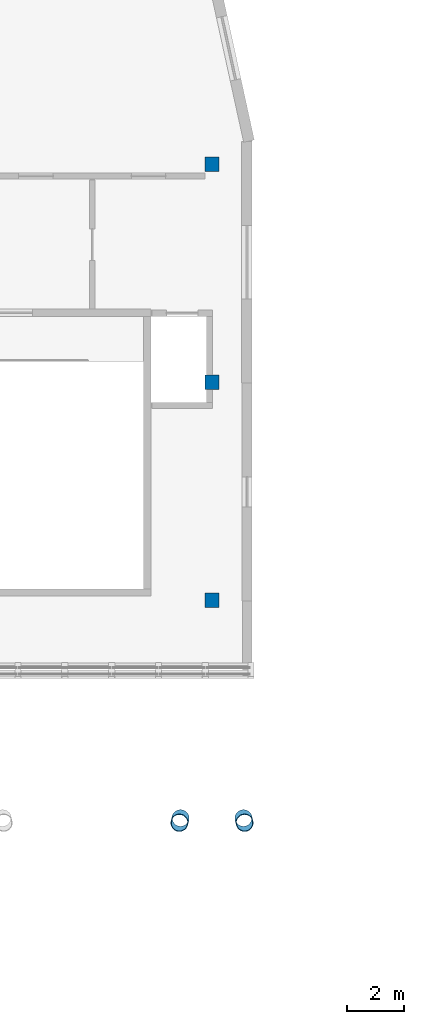
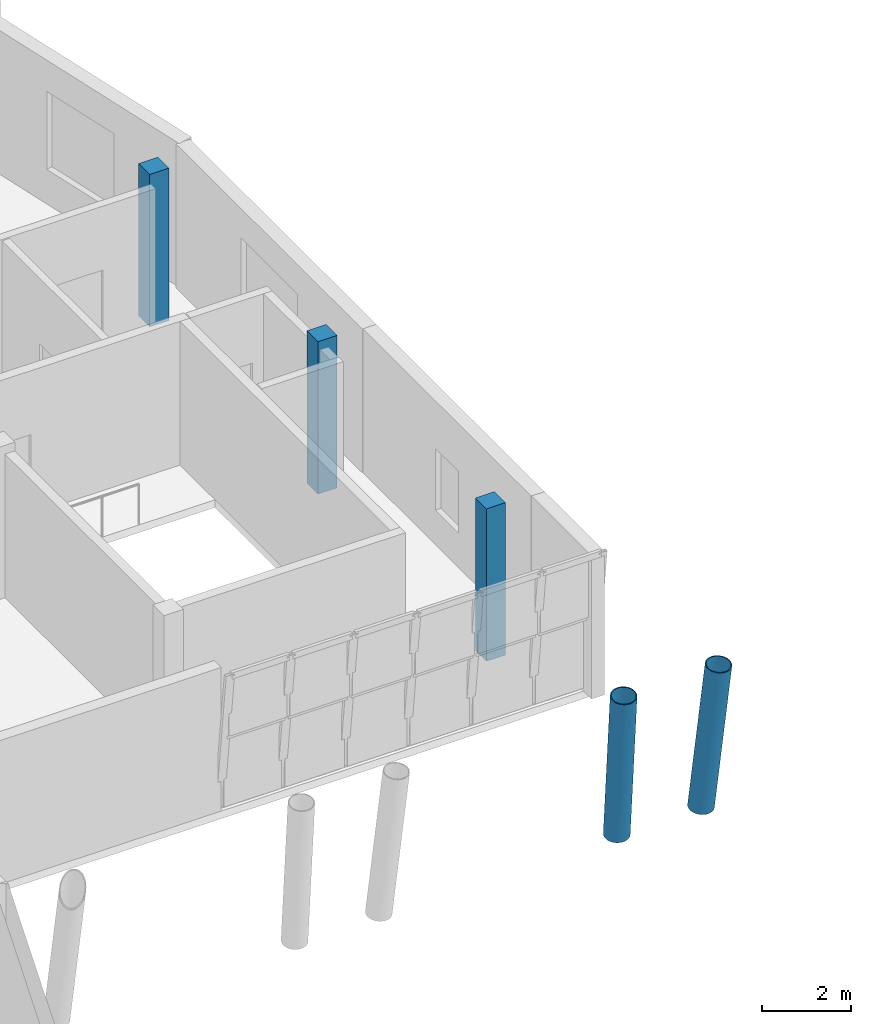
# One storey, part 3 of 17: 5 columns.
"""IFC4 building model written with IfcOpenShell, lengths in metres."""

import ifcopenshell
import ifcopenshell.guid

model = None  # the IFC model being written
_history = None  # IfcOwnerHistory: only IFC2X3 demands one
_inside = {}  # id of a spatial element -> (the spatial element, [elements in it])
_under = {}  # id of a project, library or spatial element -> (it, [spatial elements below it])
_declared = {}  # id of a project -> (the project, [libraries it declares])
_typed = {}  # id of a type object -> (the type object, [elements of that type])
_made_of = {}  # id of a material, layer set ... -> (it, [elements and type objects made of it])


def new_model(schema):
    """Start an empty IFC model of exactly this schema.

    Asked for "IFC4X3", IfcOpenShell would pick the latest addendum, in which some entities
    have other attributes; the version numbers below select the first issue.
    IFC2X3 requires an IfcOwnerHistory on every rooted entity: one is made here for all.
    """
    global model, _history
    if schema == "IFC4X3":
        model = ifcopenshell.file(schema_version=(4, 3, 0, 0))
    else:
        model = ifcopenshell.file(schema=schema)
    _inside.clear()
    _under.clear()
    _declared.clear()
    _typed.clear()
    _made_of.clear()
    _history = None
    if model.schema == "IFC2X3":
        org = make("IfcOrganization", Name="unknown")
        user = make(
            "IfcPersonAndOrganization",
            ThePerson=make("IfcPerson", FamilyName="unknown"),
            TheOrganization=org,
        )
        app = make(
            "IfcApplication",
            ApplicationDeveloper=org,
            Version="unknown",
            ApplicationFullName="unknown",
            ApplicationIdentifier="unknown",
        )
        _history = make(
            "IfcOwnerHistory",
            OwningUser=user,
            OwningApplication=app,
            ChangeAction="ADDED",
            CreationDate=0,
        )
    return model


def make(cls, **values):
    """One entity of the class cls with the attributes given. An attribute that is None is left unset."""
    return model.create_entity(
        cls, **{name: value for name, value in values.items() if value is not None}
    )


def rooted(cls, **values):
    """An entity with a GlobalId (a new one), such as an element, a storey or a relation."""
    return make(cls, GlobalId=ifcopenshell.guid.new(), OwnerHistory=_history, **values)


def si_unit(unit_type, name, prefix=None):
    """IfcSIUnit, for example si_unit("LENGTHUNIT", "METRE", prefix="MILLI")."""
    return make("IfcSIUnit", UnitType=unit_type, Prefix=prefix, Name=name)


def assignment(units):
    """IfcUnitAssignment: the units of a project."""
    return None if units is None else make("IfcUnitAssignment", Units=units)


def point(xyz):
    """IfcCartesianPoint."""
    return None if xyz is None else make("IfcCartesianPoint", Coordinates=xyz)


def direction(xyz):
    """IfcDirection."""
    return None if xyz is None else make("IfcDirection", DirectionRatios=xyz)


def frame(location, z_axis=None, x_axis=None):
    """IfcAxis2Placement3D, a coordinate frame: its origin and axes. An axis left out is left unset."""
    return make(
        "IfcAxis2Placement3D",
        Location=point(location),
        Axis=direction(z_axis),
        RefDirection=direction(x_axis),
    )


def frame_2d(location, x_axis=None):
    """IfcAxis2Placement2D, a coordinate frame in the plane: its origin and x axis."""
    return make(
        "IfcAxis2Placement2D", Location=point(location), RefDirection=direction(x_axis)
    )


def origin():
    """The frame at (0, 0, 0) with its axes left unset."""
    return frame((0.0, 0.0, 0.0))


def origin_2d():
    """The frame at (0, 0) in the plane with its x axis left unset."""
    return frame_2d((0.0, 0.0))


def place(relative_to, where):
    """IfcLocalPlacement: puts the frame where relative to a parent placement (None: the world)."""
    return make(
        "IfcLocalPlacement", PlacementRelTo=relative_to, RelativePlacement=where
    )


def context(
    kind, dimensions, precision=None, world=None, true_north=None, identifier=None
):
    """IfcGeometricRepresentationContext, for example the 3D "Model" context."""
    return make(
        "IfcGeometricRepresentationContext",
        ContextIdentifier=identifier,
        ContextType=kind,
        CoordinateSpaceDimension=dimensions,
        Precision=precision,
        WorldCoordinateSystem=world,
        TrueNorth=true_north,
    )


def subcontext(parent, identifier, kind, view, scale=None):
    """IfcGeometricRepresentationSubContext, for example "Body" below "Model"."""
    return make(
        "IfcGeometricRepresentationSubContext",
        ContextIdentifier=identifier,
        ContextType=kind,
        ParentContext=parent,
        TargetScale=scale,
        TargetView=view,
    )


def project(units=None, contexts=None):
    """IfcProject with its units and contexts."""
    return rooted(
        "IfcProject",
        Name="project",
        RepresentationContexts=contexts,
        UnitsInContext=assignment(units),
    )


def spatial(cls, under=None, at=None, **own):
    """A site, building, storey or space (cls), placed at a placement, below another one or the project."""
    s = rooted(cls, ObjectPlacement=at, **own)
    if under is not None:
        _under.setdefault(under.id(), (under, []))[1].append(s)
    return s


def profile(cls, at=None, kind="AREA", **sizes):
    """A parametric profile (cls). Its sizes go by their IFC names, for example OverallWidth=200.0."""
    return make(cls, ProfileType=kind, Position=at, **sizes)


def rectangle(**sizes):
    """IfcRectangleProfileDef."""
    return profile("IfcRectangleProfileDef", **sizes)


def hollow_circle(**sizes):
    """IfcCircleHollowProfileDef."""
    return profile("IfcCircleHollowProfileDef", **sizes)


def extrude(swept, where, along, depth):
    """IfcExtrudedAreaSolid: the profile swept, set in the frame where, extruded along a direction by depth."""
    return make(
        "IfcExtrudedAreaSolid",
        SweptArea=swept,
        Position=where,
        ExtrudedDirection=direction(along),
        Depth=depth,
    )


def shape(context_of_items, identifier, shape_type, items):
    """IfcShapeRepresentation: the items that make up one representation, for example the "Body"."""
    return make(
        "IfcShapeRepresentation",
        ContextOfItems=context_of_items,
        RepresentationIdentifier=identifier,
        RepresentationType=shape_type,
        Items=items,
    )


def material(Name=None, Category=None):
    """IfcMaterial."""
    return make("IfcMaterial", Name=Name, Category=Category)


def material_profile(
    of_material, cross_section, Name=None, Category=None, Priority=None
):
    """IfcMaterialProfile: a cross section and its material."""
    return make(
        "IfcMaterialProfile",
        Name=Name,
        Material=of_material,
        Profile=cross_section,
        Priority=Priority,
        Category=Category,
    )


def profile_set(profiles, Name=None, composite=None):
    """IfcMaterialProfileSet."""
    return make(
        "IfcMaterialProfileSet",
        Name=Name,
        MaterialProfiles=profiles,
        CompositeProfile=composite,
    )


def made_of(thing, what):
    """Note that an element or type object is made of a material, layer set ...; save() writes the relation."""
    if what is not None:
        _made_of.setdefault(what.id(), (what, []))[1].append(thing)
    return thing


def type_object(cls, material=None, **own):
    """A type object (cls), such as IfcWallType, which elements share."""
    return made_of(rooted(cls, **own), material)


def element(
    cls,
    number,
    at=None,
    inside=None,
    cuts=None,
    type_object=None,
    material=None,
    context=None,
    identifier="Body",
    shape_type=None,
    held_by="IfcProductDefinitionShape",
    body=None,
    shapes=None,
    **own,
):
    """One element of the class cls, such as IfcWall. Its Tag is "e" and its number.

    at: its placement. inside: the storey or other place that contains it. cuts: it is an
    opening in that element (IfcRelVoidsElement). A single representation is given by context,
    identifier, shape_type and body (its items); several are given by shapes. held_by: the class
    of the entity that holds the representations. save() writes the other relations.
    """
    e = rooted(cls, Tag="e%d" % number, ObjectPlacement=at, **own)
    if body is not None:
        shapes = [shape(context, identifier, shape_type, body)]
    if shapes is not None:
        e.Representation = make(held_by, Representations=shapes)
    if inside is not None:
        _inside.setdefault(inside.id(), (inside, []))[1].append(e)
    if cuts is not None:
        rooted(
            "IfcRelVoidsElement", RelatingBuildingElement=cuts, RelatedOpeningElement=e
        )
    if type_object is not None:
        _typed.setdefault(type_object.id(), (type_object, []))[1].append(e)
    return made_of(e, material)


def aggregate(whole, parts):
    """IfcRelAggregates: a whole, such as a stair, and the parts it consists of."""
    return rooted("IfcRelAggregates", RelatingObject=whole, RelatedObjects=parts)


def save(model, path):
    """Write the relations noted so far, then the file.

    IfcRelAggregates (storeys below a building ...), IfcRelContainedInSpatialStructure (elements
    in a storey), IfcRelDefinesByType, IfcRelAssociatesMaterial and IfcRelDeclares: one each for
    every whole, place, type object, material and project.
    """
    for whole, parts in _under.values():
        aggregate(whole, parts)
    for where, things in _inside.values():
        rooted(
            "IfcRelContainedInSpatialStructure",
            RelatedElements=things,
            RelatingStructure=where,
        )
    for kind, things in _typed.values():
        rooted("IfcRelDefinesByType", RelatedObjects=things, RelatingType=kind)
    for what, things in _made_of.values():
        rooted("IfcRelAssociatesMaterial", RelatedObjects=things, RelatingMaterial=what)
    for by, libraries in _declared.values():
        rooted("IfcRelDeclares", RelatingContext=by, RelatedDefinitions=libraries)
    model.write(path)


model = new_model("IFC4")

# Units and contexts
model_context = context("Model", 3, precision=1e-05, world=origin(), true_north=direction((0.0, 1.0)))
body_context = subcontext(model_context, "Body", "Model", "MODEL_VIEW")
ifc_project = project(units=[si_unit("LENGTHUNIT", "METRE"), si_unit("AREAUNIT", "SQUARE_METRE"), si_unit("VOLUMEUNIT", "CUBIC_METRE"), si_unit("PLANEANGLEUNIT", "RADIAN"), si_unit("MASSUNIT", "GRAM", prefix="KILO")], contexts=[model_context])

# Site, building, storey
site_placement = place(None, origin())
site = spatial("IfcSite", under=ifc_project, at=site_placement, CompositionType="ELEMENT")
building_placement = place(site_placement, origin())
building = spatial("IfcBuilding", under=site, at=building_placement, Name="Xicomal Pleat Aquarium", CompositionType="ELEMENT")
storey_placement = place(building_placement, frame((0.0, 0.0, 19.800048828125)))
storey = spatial("IfcBuildingStorey", under=building, at=storey_placement, Name="L05", CompositionType="ELEMENT", Elevation=19.800048828125)

# Columns
ifc_material_1 = material(Name="Concrete C35/45", Category="concrete")
ifc_material_profile_1 = material_profile(ifc_material_1, rectangle(XDim=0.5, YDim=0.5, at=origin_2d()), Name="RC 500x500")
ifc_profile_set_1 = profile_set([ifc_material_profile_1], Name="Concrete C35/45")
column_type_1 = type_object("IfcColumnType", Name="COL-RC-500x500", PredefinedType="COLUMN", material=ifc_profile_set_1)
for number, where, z_axis, x_axis, name in (
    (1, (35.39990234375, 15.199951171875, 0.0), (0.0, 0.0, 1.0), (1.0, 0.0, 0.0), "L05 column 05/C"),
    (2, (35.39990234375, 22.800048828125, 0.0), (0.0, 0.0, 1.0), (1.0, 0.0, 0.0), "L05 column 05/D"),
    (3, (35.39990234375, 30.39990234375, 0.0), (0.0, 0.0, 1.0), (1.0, 0.0, 0.0), "L05 column 05/E"),
):
    element("IfcColumn", number, at=place(storey_placement, frame(where, z_axis=z_axis, x_axis=x_axis)), inside=storey, type_object=column_type_1, Name=name, PredefinedType="COLUMN", context=body_context, shape_type="SweptSolid", body=[
        extrude(rectangle(XDim=0.5, YDim=0.5, at=origin_2d()), origin(), (0.0, 0.0, 1.0), 4.199951171875),
    ])
ifc_material_2 = material(Name="Architectural steel ASTM A572 Gr 50", Category="steel")
ifc_material_profile_2 = material_profile(ifc_material_2, hollow_circle(Radius=0.304931640625, WallThickness=0.02392578125, at=origin_2d()), Name="OC 610x24")
ifc_profile_set_2 = profile_set([ifc_material_profile_2], Name="Architectural steel ASTM A572 Gr 50")
column_type_2 = type_object("IfcColumnType", Name="COL-STL-OC610", PredefinedType="COLUMN", material=ifc_profile_set_2)
for number, where, z_axis, x_axis, name in (
    (4, (34.302001953125, 7.595947265625, 0.005859375), (-0.032867909645, -0.130605173474, 0.990889493928), (0.969762870123, -0.244049125652, 0.0), "L05 entrance pavilion splayed steel column 05W"),
    (5, (36.498046875, 7.595947265625, 0.005859375), (0.032867909645, -0.130605173474, 0.990889493928), (0.969762870123, 0.244049125652, 0.0), "L05 entrance pavilion splayed steel column 05E"),
):
    element("IfcColumn", number, at=place(storey_placement, frame(where, z_axis=z_axis, x_axis=x_axis)), inside=storey, type_object=column_type_2, Name=name, PredefinedType="COLUMN", context=body_context, shape_type="SweptSolid", body=[
        extrude(hollow_circle(Radius=0.304931640625, WallThickness=0.02392578125, at=origin_2d()), origin(), (0.0, 0.0, 1.0), 4.2265625),
    ])

save(model, "model.ifc")
